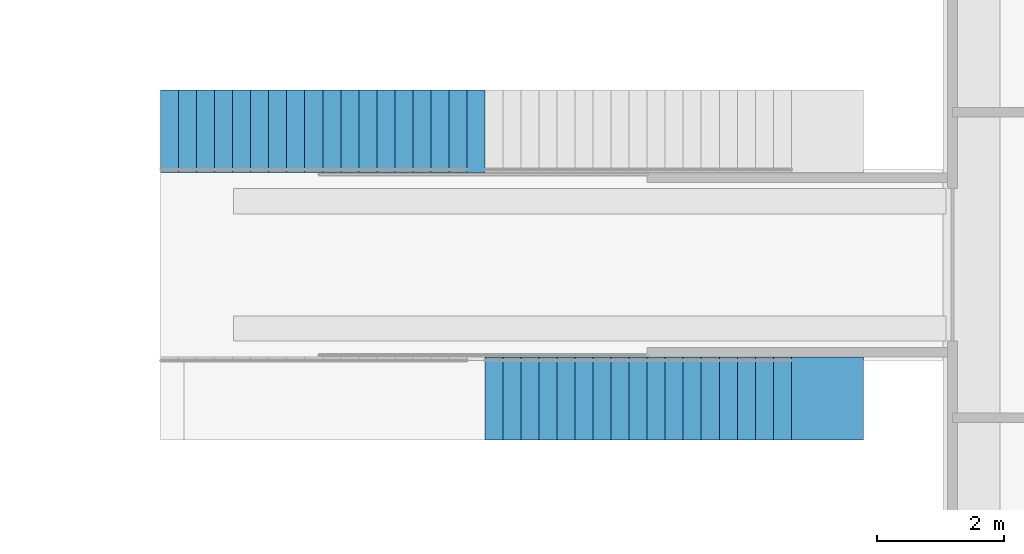
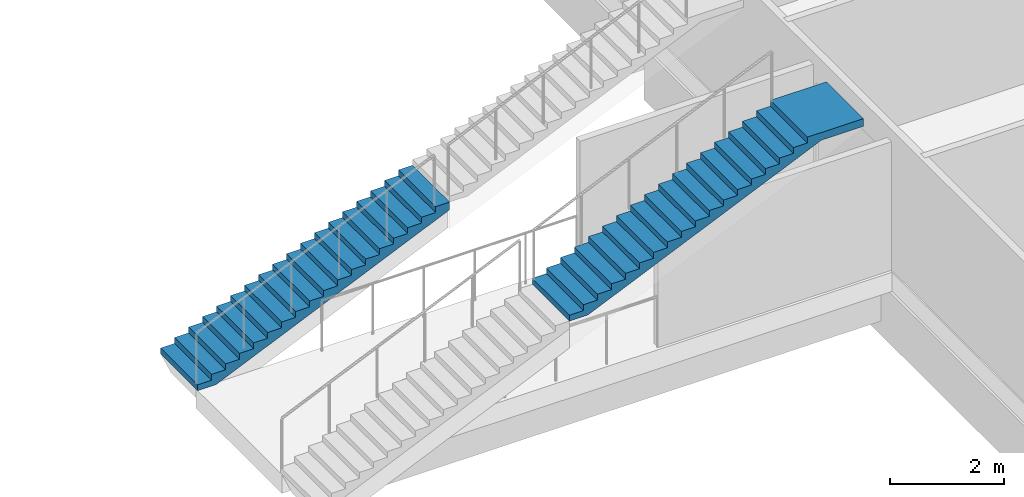
# One storey, part 93 of 175: 2 stair flights, 2 elements without a shape of their own.
"""IFC4 building model written with IfcOpenShell, lengths in metres."""

from ifc_helpers import new_model, si_unit, direction, frame, origin, place, context, subcontext, project, spatial, faceted_brep, material, type_object, element, aggregate, save


model = new_model("IFC4")

# Units and contexts
model_context = context("Model", 3, precision=1e-05, world=origin(), true_north=direction((0.0, 1.0)))
body_context = subcontext(model_context, "Body", "Model", "MODEL_VIEW")
ifc_project = project(units=[si_unit("LENGTHUNIT", "METRE"), si_unit("AREAUNIT", "SQUARE_METRE"), si_unit("VOLUMEUNIT", "CUBIC_METRE"), si_unit("PLANEANGLEUNIT", "RADIAN"), si_unit("MASSUNIT", "GRAM", prefix="KILO")], contexts=[model_context])

# Site, building, storey
site_placement = place(None, origin())
site = spatial("IfcSite", under=ifc_project, at=site_placement, CompositionType="ELEMENT")
building_placement = place(site_placement, origin())
building = spatial("IfcBuilding", under=site, at=building_placement, Name="Ogive Plaza Stadium", CompositionType="ELEMENT")
storey_placement = place(building_placement, origin())
storey = spatial("IfcBuildingStorey", under=building, at=storey_placement, Name="L00", CompositionType="ELEMENT", Elevation=0.0)

# Stair, stair flight
ifc_material_1 = material(Name="Concrete C40/50", Category="concrete")
stair_type = type_object("IfcStairType", Name="Aisle stair", PredefinedType="STRAIGHT_RUN_STAIR", material=ifc_material_1)
stair_1_placement = place(storey_placement, origin())
stair_1 = element("IfcStair", 1, at=stair_1_placement, inside=storey, type_object=stair_type, Name="Aisle stair SA07L", PredefinedType="STRAIGHT_RUN_STAIR")
ifc_material_2 = material(Name="Concrete C40/50", Category="concrete")
stair_flight_type = type_object("IfcStairFlightType", Name="Aisle stair flight", PredefinedType="STRAIGHT", material=ifc_material_2)
stair_flight_1_placement = place(storey_placement, frame((54.25, -47.10009765625, 2.25), z_axis=(0.0, 0.0, 1.0), x_axis=(1.0, 0.0, 0.0)))
stair_flight_1 = element("IfcStairFlight", 2, at=stair_flight_1_placement, type_object=stair_flight_type, Name="SA07L flight 2", NumberOfRisers=18, NumberOfTreads=17, PredefinedType="STRAIGHT", RiserHeight=0.125, TreadLength=0.283333333, context=body_context, shape_type="Brep", body=[
    faceted_brep([(0.371337890625, -0.64990234375, 0.0), (5.10009765625, -0.64990234375, 2.086181640625), (5.949951171875, -0.64990234375, 2.086181640625), (5.949951171875, -0.64990234375, 2.25), (4.816650390625, -0.64990234375, 2.25), (4.816650390625, -0.64990234375, 2.125), (4.533447265625, -0.64990234375, 2.125), (4.533447265625, -0.64990234375, 2.0), (4.25, -0.64990234375, 2.0), (4.25, -0.64990234375, 1.875), (3.966552734375, -0.64990234375, 1.875), (3.966552734375, -0.64990234375, 1.75), (3.683349609375, -0.64990234375, 1.75), (3.683349609375, -0.64990234375, 1.625), (3.39990234375, -0.64990234375, 1.625), (3.39990234375, -0.64990234375, 1.5), (3.11669921875, -0.64990234375, 1.5), (3.11669921875, -0.64990234375, 1.375), (2.833251953125, -0.64990234375, 1.375), (2.833251953125, -0.64990234375, 1.25), (2.550048828125, -0.64990234375, 1.25), (2.550048828125, -0.64990234375, 1.125), (2.2666015625, -0.64990234375, 1.125), (2.2666015625, -0.64990234375, 1.0), (1.9833984375, -0.64990234375, 1.0), (1.9833984375, -0.64990234375, 0.875), (1.699951171875, -0.64990234375, 0.875), (1.699951171875, -0.64990234375, 0.75), (1.416748046875, -0.64990234375, 0.75), (1.416748046875, -0.64990234375, 0.625), (1.13330078125, -0.64990234375, 0.625), (1.13330078125, -0.64990234375, 0.5), (0.85009765625, -0.64990234375, 0.5), (0.85009765625, -0.64990234375, 0.375), (0.566650390625, -0.64990234375, 0.375), (0.566650390625, -0.64990234375, 0.25), (0.283447265625, -0.64990234375, 0.25), (0.283447265625, -0.64990234375, 0.125), (0.0, -0.64990234375, 0.125), (0.0, -0.64990234375, 0.0), (0.0, 0.64990234375, 0.0), (0.0, 0.64990234375, 0.125), (0.283447265625, 0.64990234375, 0.125), (0.283447265625, 0.64990234375, 0.25), (0.566650390625, 0.64990234375, 0.25), (0.566650390625, 0.64990234375, 0.375), (0.85009765625, 0.64990234375, 0.375), (0.85009765625, 0.64990234375, 0.5), (1.13330078125, 0.64990234375, 0.5), (1.13330078125, 0.64990234375, 0.625), (1.416748046875, 0.64990234375, 0.625), (1.416748046875, 0.64990234375, 0.75), (1.699951171875, 0.64990234375, 0.75), (1.699951171875, 0.64990234375, 0.875), (1.9833984375, 0.64990234375, 0.875), (1.9833984375, 0.64990234375, 1.0), (2.2666015625, 0.64990234375, 1.0), (2.2666015625, 0.64990234375, 1.125), (2.550048828125, 0.64990234375, 1.125), (2.550048828125, 0.64990234375, 1.25), (2.833251953125, 0.64990234375, 1.25), (2.833251953125, 0.64990234375, 1.375), (3.11669921875, 0.64990234375, 1.375), (3.11669921875, 0.64990234375, 1.5), (3.39990234375, 0.64990234375, 1.5), (3.39990234375, 0.64990234375, 1.625), (3.683349609375, 0.64990234375, 1.625), (3.683349609375, 0.64990234375, 1.75), (3.966552734375, 0.64990234375, 1.75), (3.966552734375, 0.64990234375, 1.875), (4.25, 0.64990234375, 1.875), (4.25, 0.64990234375, 2.0), (4.533447265625, 0.64990234375, 2.0), (4.533447265625, 0.64990234375, 2.125), (4.816650390625, 0.64990234375, 2.125), (4.816650390625, 0.64990234375, 2.25), (5.949951171875, 0.64990234375, 2.25), (5.949951171875, 0.64990234375, 2.086181640625), (5.10009765625, 0.64990234375, 2.086181640625), (0.371337890625, 0.64990234375, 0.0), (0.371337890625, -0.324951171875, 0.0), (5.10009765625, -0.324951171875, 2.086181640625), (0.371337890625, 0.0, 0.0), (5.10009765625, 0.0, 2.086181640625), (0.371337890625, 0.324951171875, 0.0), (5.10009765625, 0.324951171875, 2.086181640625), (5.949951171875, -0.324951171875, 2.086181640625), (5.949951171875, 0.0, 2.086181640625), (5.949951171875, 0.324951171875, 2.086181640625), (5.949951171875, -0.324951171875, 2.25), (5.949951171875, 0.0, 2.25), (5.949951171875, 0.324951171875, 2.25), (4.816650390625, -0.324951171875, 2.25), (4.816650390625, 0.0, 2.25), (4.816650390625, 0.324951171875, 2.25), (4.816650390625, -0.324951171875, 2.125), (4.816650390625, 0.0, 2.125), (4.816650390625, 0.324951171875, 2.125), (4.533447265625, -0.324951171875, 2.125), (4.533447265625, 0.0, 2.125), (4.533447265625, 0.324951171875, 2.125), (4.533447265625, -0.324951171875, 2.0), (4.533447265625, 0.0, 2.0), (4.533447265625, 0.324951171875, 2.0), (4.25, -0.324951171875, 2.0), (4.25, 0.0, 2.0), (4.25, 0.324951171875, 2.0), (4.25, -0.324951171875, 1.875), (4.25, 0.0, 1.875), (4.25, 0.324951171875, 1.875), (3.966552734375, -0.324951171875, 1.875), (3.966552734375, 0.0, 1.875), (3.966552734375, 0.324951171875, 1.875), (3.966552734375, -0.324951171875, 1.75), (3.966552734375, 0.0, 1.75), (3.966552734375, 0.324951171875, 1.75), (3.683349609375, -0.324951171875, 1.75), (3.683349609375, 0.0, 1.75), (3.683349609375, 0.324951171875, 1.75), (3.683349609375, -0.324951171875, 1.625), (3.683349609375, 0.0, 1.625), (3.683349609375, 0.324951171875, 1.625), (3.39990234375, -0.324951171875, 1.625), (3.39990234375, 0.0, 1.625), (3.39990234375, 0.324951171875, 1.625), (3.39990234375, -0.324951171875, 1.5), (3.39990234375, 0.0, 1.5), (3.39990234375, 0.324951171875, 1.5), (3.11669921875, -0.324951171875, 1.5), (3.11669921875, 0.0, 1.5), (3.11669921875, 0.324951171875, 1.5), (3.11669921875, -0.324951171875, 1.375), (3.11669921875, 0.0, 1.375), (3.11669921875, 0.324951171875, 1.375), (2.833251953125, -0.324951171875, 1.375), (2.833251953125, 0.0, 1.375), (2.833251953125, 0.324951171875, 1.375), (2.833251953125, -0.324951171875, 1.25), (2.833251953125, 0.0, 1.25), (2.833251953125, 0.324951171875, 1.25), (2.550048828125, -0.324951171875, 1.25), (2.550048828125, 0.0, 1.25), (2.550048828125, 0.324951171875, 1.25), (2.550048828125, -0.324951171875, 1.125), (2.550048828125, 0.0, 1.125), (2.550048828125, 0.324951171875, 1.125), (2.2666015625, -0.324951171875, 1.125), (2.2666015625, 0.0, 1.125), (2.2666015625, 0.324951171875, 1.125), (2.2666015625, -0.324951171875, 1.0), (2.2666015625, 0.0, 1.0), (2.2666015625, 0.324951171875, 1.0), (1.9833984375, -0.324951171875, 1.0), (1.9833984375, 0.0, 1.0), (1.9833984375, 0.324951171875, 1.0), (1.9833984375, -0.324951171875, 0.875), (1.9833984375, 0.0, 0.875), (1.9833984375, 0.324951171875, 0.875), (1.699951171875, -0.324951171875, 0.875), (1.699951171875, 0.0, 0.875), (1.699951171875, 0.324951171875, 0.875), (1.699951171875, -0.324951171875, 0.75), (1.699951171875, 0.0, 0.75), (1.699951171875, 0.324951171875, 0.75), (1.416748046875, -0.324951171875, 0.75), (1.416748046875, 0.0, 0.75), (1.416748046875, 0.324951171875, 0.75), (1.416748046875, -0.324951171875, 0.625), (1.416748046875, 0.0, 0.625), (1.416748046875, 0.324951171875, 0.625), (1.13330078125, -0.324951171875, 0.625), (1.13330078125, 0.0, 0.625), (1.13330078125, 0.324951171875, 0.625), (1.13330078125, -0.324951171875, 0.5), (1.13330078125, 0.0, 0.5), (1.13330078125, 0.324951171875, 0.5), (0.85009765625, -0.324951171875, 0.5), (0.85009765625, 0.0, 0.5), (0.85009765625, 0.324951171875, 0.5), (0.85009765625, -0.324951171875, 0.375), (0.85009765625, 0.0, 0.375), (0.85009765625, 0.324951171875, 0.375), (0.566650390625, -0.324951171875, 0.375), (0.566650390625, 0.0, 0.375), (0.566650390625, 0.324951171875, 0.375), (0.566650390625, -0.324951171875, 0.25), (0.566650390625, 0.0, 0.25), (0.566650390625, 0.324951171875, 0.25), (0.283447265625, -0.324951171875, 0.25), (0.283447265625, 0.0, 0.25), (0.283447265625, 0.324951171875, 0.25), (0.283447265625, -0.324951171875, 0.125), (0.283447265625, 0.0, 0.125), (0.283447265625, 0.324951171875, 0.125), (0.0, -0.324951171875, 0.125), (0.0, 0.0, 0.125), (0.0, 0.324951171875, 0.125), (0.0, -0.324951171875, 0.0), (0.0, 0.0, 0.0), (0.0, 0.324951171875, 0.0)], [[[0, 1, 2, 3, 4, 5, 6, 7, 8, 9, 10, 11, 12, 13, 14, 15, 16, 17, 18, 19, 20, 21, 22, 23, 24, 25, 26, 27, 28, 29, 30, 31, 32, 33, 34, 35, 36, 37, 38, 39]], [[40, 41, 42, 43, 44, 45, 46, 47, 48, 49, 50, 51, 52, 53, 54, 55, 56, 57, 58, 59, 60, 61, 62, 63, 64, 65, 66, 67, 68, 69, 70, 71, 72, 73, 74, 75, 76, 77, 78, 79]], [[0, 80, 81, 1]], [[80, 82, 83, 81]], [[82, 84, 85, 83]], [[84, 79, 78, 85]], [[1, 81, 86, 2]], [[81, 83, 87, 86]], [[83, 85, 88, 87]], [[85, 78, 77, 88]], [[2, 86, 89, 3]], [[86, 87, 90, 89]], [[87, 88, 91, 90]], [[88, 77, 76, 91]], [[3, 89, 92, 4]], [[89, 90, 93, 92]], [[90, 91, 94, 93]], [[91, 76, 75, 94]], [[4, 92, 95, 5]], [[92, 93, 96, 95]], [[93, 94, 97, 96]], [[94, 75, 74, 97]], [[5, 95, 98, 6]], [[95, 96, 99, 98]], [[96, 97, 100, 99]], [[97, 74, 73, 100]], [[6, 98, 101, 7]], [[98, 99, 102, 101]], [[99, 100, 103, 102]], [[100, 73, 72, 103]], [[7, 101, 104, 8]], [[101, 102, 105, 104]], [[102, 103, 106, 105]], [[103, 72, 71, 106]], [[8, 104, 107, 9]], [[104, 105, 108, 107]], [[105, 106, 109, 108]], [[106, 71, 70, 109]], [[9, 107, 110, 10]], [[107, 108, 111, 110]], [[108, 109, 112, 111]], [[109, 70, 69, 112]], [[10, 110, 113, 11]], [[110, 111, 114, 113]], [[111, 112, 115, 114]], [[112, 69, 68, 115]], [[11, 113, 116, 12]], [[113, 114, 117, 116]], [[114, 115, 118, 117]], [[115, 68, 67, 118]], [[12, 116, 119, 13]], [[116, 117, 120, 119]], [[117, 118, 121, 120]], [[118, 67, 66, 121]], [[13, 119, 122, 14]], [[119, 120, 123, 122]], [[120, 121, 124, 123]], [[121, 66, 65, 124]], [[14, 122, 125, 15]], [[122, 123, 126, 125]], [[123, 124, 127, 126]], [[124, 65, 64, 127]], [[15, 125, 128, 16]], [[125, 126, 129, 128]], [[126, 127, 130, 129]], [[127, 64, 63, 130]], [[16, 128, 131, 17]], [[128, 129, 132, 131]], [[129, 130, 133, 132]], [[130, 63, 62, 133]], [[17, 131, 134, 18]], [[131, 132, 135, 134]], [[132, 133, 136, 135]], [[133, 62, 61, 136]], [[18, 134, 137, 19]], [[134, 135, 138, 137]], [[135, 136, 139, 138]], [[136, 61, 60, 139]], [[19, 137, 140, 20]], [[137, 138, 141, 140]], [[138, 139, 142, 141]], [[139, 60, 59, 142]], [[20, 140, 143, 21]], [[140, 141, 144, 143]], [[141, 142, 145, 144]], [[142, 59, 58, 145]], [[21, 143, 146, 22]], [[143, 144, 147, 146]], [[144, 145, 148, 147]], [[145, 58, 57, 148]], [[22, 146, 149, 23]], [[146, 147, 150, 149]], [[147, 148, 151, 150]], [[148, 57, 56, 151]], [[23, 149, 152, 24]], [[149, 150, 153, 152]], [[150, 151, 154, 153]], [[151, 56, 55, 154]], [[24, 152, 155, 25]], [[152, 153, 156, 155]], [[153, 154, 157, 156]], [[154, 55, 54, 157]], [[25, 155, 158, 26]], [[155, 156, 159, 158]], [[156, 157, 160, 159]], [[157, 54, 53, 160]], [[26, 158, 161, 27]], [[158, 159, 162, 161]], [[159, 160, 163, 162]], [[160, 53, 52, 163]], [[27, 161, 164, 28]], [[161, 162, 165, 164]], [[162, 163, 166, 165]], [[163, 52, 51, 166]], [[28, 164, 167, 29]], [[164, 165, 168, 167]], [[165, 166, 169, 168]], [[166, 51, 50, 169]], [[29, 167, 170, 30]], [[167, 168, 171, 170]], [[168, 169, 172, 171]], [[169, 50, 49, 172]], [[30, 170, 173, 31]], [[170, 171, 174, 173]], [[171, 172, 175, 174]], [[172, 49, 48, 175]], [[31, 173, 176, 32]], [[173, 174, 177, 176]], [[174, 175, 178, 177]], [[175, 48, 47, 178]], [[32, 176, 179, 33]], [[176, 177, 180, 179]], [[177, 178, 181, 180]], [[178, 47, 46, 181]], [[33, 179, 182, 34]], [[179, 180, 183, 182]], [[180, 181, 184, 183]], [[181, 46, 45, 184]], [[34, 182, 185, 35]], [[182, 183, 186, 185]], [[183, 184, 187, 186]], [[184, 45, 44, 187]], [[35, 185, 188, 36]], [[185, 186, 189, 188]], [[186, 187, 190, 189]], [[187, 44, 43, 190]], [[36, 188, 191, 37]], [[188, 189, 192, 191]], [[189, 190, 193, 192]], [[190, 43, 42, 193]], [[37, 191, 194, 38]], [[191, 192, 195, 194]], [[192, 193, 196, 195]], [[193, 42, 41, 196]], [[38, 194, 197, 39]], [[194, 195, 198, 197]], [[195, 196, 199, 198]], [[196, 41, 40, 199]], [[39, 197, 80, 0]], [[197, 198, 82, 80]], [[198, 199, 84, 82]], [[199, 40, 79, 84]]]),
])
aggregate(stair_1, [stair_flight_1])

stair_2_placement = place(storey_placement, origin())
stair_2 = element("IfcStair", 3, at=stair_2_placement, inside=storey, type_object=stair_type, Name="Aisle stair SA07R", PredefinedType="STRAIGHT_RUN_STAIR")
stair_flight_2_placement = place(storey_placement, frame((49.14990234375, -42.89990234375, 0.0), z_axis=(0.0, 0.0, 1.0), x_axis=(1.0, 0.0, 0.0)))
stair_flight_2 = element("IfcStairFlight", 4, at=stair_flight_2_placement, type_object=stair_flight_type, Name="SA07R flight 1", NumberOfRisers=18, NumberOfTreads=17, PredefinedType="STRAIGHT", RiserHeight=0.125, TreadLength=0.283333333, context=body_context, shape_type="Brep", body=[
    faceted_brep([(0.371337890625, -0.64990234375, 0.0), (5.10009765625, -0.64990234375, 2.086181640625), (5.10009765625, -0.64990234375, 2.25), (4.816650390625, -0.64990234375, 2.25), (4.816650390625, -0.64990234375, 2.125), (4.533447265625, -0.64990234375, 2.125), (4.533447265625, -0.64990234375, 2.0), (4.25, -0.64990234375, 2.0), (4.25, -0.64990234375, 1.875), (3.966552734375, -0.64990234375, 1.875), (3.966552734375, -0.64990234375, 1.75), (3.683349609375, -0.64990234375, 1.75), (3.683349609375, -0.64990234375, 1.625), (3.39990234375, -0.64990234375, 1.625), (3.39990234375, -0.64990234375, 1.5), (3.11669921875, -0.64990234375, 1.5), (3.11669921875, -0.64990234375, 1.375), (2.833251953125, -0.64990234375, 1.375), (2.833251953125, -0.64990234375, 1.25), (2.550048828125, -0.64990234375, 1.25), (2.550048828125, -0.64990234375, 1.125), (2.2666015625, -0.64990234375, 1.125), (2.2666015625, -0.64990234375, 1.0), (1.9833984375, -0.64990234375, 1.0), (1.9833984375, -0.64990234375, 0.875), (1.699951171875, -0.64990234375, 0.875), (1.699951171875, -0.64990234375, 0.75), (1.416748046875, -0.64990234375, 0.75), (1.416748046875, -0.64990234375, 0.625), (1.13330078125, -0.64990234375, 0.625), (1.13330078125, -0.64990234375, 0.5), (0.85009765625, -0.64990234375, 0.5), (0.85009765625, -0.64990234375, 0.375), (0.566650390625, -0.64990234375, 0.375), (0.566650390625, -0.64990234375, 0.25), (0.283447265625, -0.64990234375, 0.25), (0.283447265625, -0.64990234375, 0.125), (0.0, -0.64990234375, 0.125), (0.0, -0.64990234375, 0.0), (0.0, 0.64990234375, 0.0), (0.0, 0.64990234375, 0.125), (0.283447265625, 0.64990234375, 0.125), (0.283447265625, 0.64990234375, 0.25), (0.566650390625, 0.64990234375, 0.25), (0.566650390625, 0.64990234375, 0.375), (0.85009765625, 0.64990234375, 0.375), (0.85009765625, 0.64990234375, 0.5), (1.13330078125, 0.64990234375, 0.5), (1.13330078125, 0.64990234375, 0.625), (1.416748046875, 0.64990234375, 0.625), (1.416748046875, 0.64990234375, 0.75), (1.699951171875, 0.64990234375, 0.75), (1.699951171875, 0.64990234375, 0.875), (1.9833984375, 0.64990234375, 0.875), (1.9833984375, 0.64990234375, 1.0), (2.2666015625, 0.64990234375, 1.0), (2.2666015625, 0.64990234375, 1.125), (2.550048828125, 0.64990234375, 1.125), (2.550048828125, 0.64990234375, 1.25), (2.833251953125, 0.64990234375, 1.25), (2.833251953125, 0.64990234375, 1.375), (3.11669921875, 0.64990234375, 1.375), (3.11669921875, 0.64990234375, 1.5), (3.39990234375, 0.64990234375, 1.5), (3.39990234375, 0.64990234375, 1.625), (3.683349609375, 0.64990234375, 1.625), (3.683349609375, 0.64990234375, 1.75), (3.966552734375, 0.64990234375, 1.75), (3.966552734375, 0.64990234375, 1.875), (4.25, 0.64990234375, 1.875), (4.25, 0.64990234375, 2.0), (4.533447265625, 0.64990234375, 2.0), (4.533447265625, 0.64990234375, 2.125), (4.816650390625, 0.64990234375, 2.125), (4.816650390625, 0.64990234375, 2.25), (5.10009765625, 0.64990234375, 2.25), (5.10009765625, 0.64990234375, 2.086181640625), (0.371337890625, 0.64990234375, 0.0), (0.371337890625, -0.324951171875, 0.0), (5.10009765625, -0.324951171875, 2.086181640625), (0.371337890625, 0.0, 0.0), (5.10009765625, 0.0, 2.086181640625), (0.371337890625, 0.324951171875, 0.0), (5.10009765625, 0.324951171875, 2.086181640625), (5.10009765625, -0.324951171875, 2.25), (5.10009765625, 0.0, 2.25), (5.10009765625, 0.324951171875, 2.25), (4.816650390625, -0.324951171875, 2.25), (4.816650390625, 0.0, 2.25), (4.816650390625, 0.324951171875, 2.25), (4.816650390625, -0.324951171875, 2.125), (4.816650390625, 0.0, 2.125), (4.816650390625, 0.324951171875, 2.125), (4.533447265625, -0.324951171875, 2.125), (4.533447265625, 0.0, 2.125), (4.533447265625, 0.324951171875, 2.125), (4.533447265625, -0.324951171875, 2.0), (4.533447265625, 0.0, 2.0), (4.533447265625, 0.324951171875, 2.0), (4.25, -0.324951171875, 2.0), (4.25, 0.0, 2.0), (4.25, 0.324951171875, 2.0), (4.25, -0.324951171875, 1.875), (4.25, 0.0, 1.875), (4.25, 0.324951171875, 1.875), (3.966552734375, -0.324951171875, 1.875), (3.966552734375, 0.0, 1.875), (3.966552734375, 0.324951171875, 1.875), (3.966552734375, -0.324951171875, 1.75), (3.966552734375, 0.0, 1.75), (3.966552734375, 0.324951171875, 1.75), (3.683349609375, -0.324951171875, 1.75), (3.683349609375, 0.0, 1.75), (3.683349609375, 0.324951171875, 1.75), (3.683349609375, -0.324951171875, 1.625), (3.683349609375, 0.0, 1.625), (3.683349609375, 0.324951171875, 1.625), (3.39990234375, -0.324951171875, 1.625), (3.39990234375, 0.0, 1.625), (3.39990234375, 0.324951171875, 1.625), (3.39990234375, -0.324951171875, 1.5), (3.39990234375, 0.0, 1.5), (3.39990234375, 0.324951171875, 1.5), (3.11669921875, -0.324951171875, 1.5), (3.11669921875, 0.0, 1.5), (3.11669921875, 0.324951171875, 1.5), (3.11669921875, -0.324951171875, 1.375), (3.11669921875, 0.0, 1.375), (3.11669921875, 0.324951171875, 1.375), (2.833251953125, -0.324951171875, 1.375), (2.833251953125, 0.0, 1.375), (2.833251953125, 0.324951171875, 1.375), (2.833251953125, -0.324951171875, 1.25), (2.833251953125, 0.0, 1.25), (2.833251953125, 0.324951171875, 1.25), (2.550048828125, -0.324951171875, 1.25), (2.550048828125, 0.0, 1.25), (2.550048828125, 0.324951171875, 1.25), (2.550048828125, -0.324951171875, 1.125), (2.550048828125, 0.0, 1.125), (2.550048828125, 0.324951171875, 1.125), (2.2666015625, -0.324951171875, 1.125), (2.2666015625, 0.0, 1.125), (2.2666015625, 0.324951171875, 1.125), (2.2666015625, -0.324951171875, 1.0), (2.2666015625, 0.0, 1.0), (2.2666015625, 0.324951171875, 1.0), (1.9833984375, -0.324951171875, 1.0), (1.9833984375, 0.0, 1.0), (1.9833984375, 0.324951171875, 1.0), (1.9833984375, -0.324951171875, 0.875), (1.9833984375, 0.0, 0.875), (1.9833984375, 0.324951171875, 0.875), (1.699951171875, -0.324951171875, 0.875), (1.699951171875, 0.0, 0.875), (1.699951171875, 0.324951171875, 0.875), (1.699951171875, -0.324951171875, 0.75), (1.699951171875, 0.0, 0.75), (1.699951171875, 0.324951171875, 0.75), (1.416748046875, -0.324951171875, 0.75), (1.416748046875, 0.0, 0.75), (1.416748046875, 0.324951171875, 0.75), (1.416748046875, -0.324951171875, 0.625), (1.416748046875, 0.0, 0.625), (1.416748046875, 0.324951171875, 0.625), (1.13330078125, -0.324951171875, 0.625), (1.13330078125, 0.0, 0.625), (1.13330078125, 0.324951171875, 0.625), (1.13330078125, -0.324951171875, 0.5), (1.13330078125, 0.0, 0.5), (1.13330078125, 0.324951171875, 0.5), (0.85009765625, -0.324951171875, 0.5), (0.85009765625, 0.0, 0.5), (0.85009765625, 0.324951171875, 0.5), (0.85009765625, -0.324951171875, 0.375), (0.85009765625, 0.0, 0.375), (0.85009765625, 0.324951171875, 0.375), (0.566650390625, -0.324951171875, 0.375), (0.566650390625, 0.0, 0.375), (0.566650390625, 0.324951171875, 0.375), (0.566650390625, -0.324951171875, 0.25), (0.566650390625, 0.0, 0.25), (0.566650390625, 0.324951171875, 0.25), (0.283447265625, -0.324951171875, 0.25), (0.283447265625, 0.0, 0.25), (0.283447265625, 0.324951171875, 0.25), (0.283447265625, -0.324951171875, 0.125), (0.283447265625, 0.0, 0.125), (0.283447265625, 0.324951171875, 0.125), (0.0, -0.324951171875, 0.125), (0.0, 0.0, 0.125), (0.0, 0.324951171875, 0.125), (0.0, -0.324951171875, 0.0), (0.0, 0.0, 0.0), (0.0, 0.324951171875, 0.0)], [[[0, 1, 2, 3, 4, 5, 6, 7, 8, 9, 10, 11, 12, 13, 14, 15, 16, 17, 18, 19, 20, 21, 22, 23, 24, 25, 26, 27, 28, 29, 30, 31, 32, 33, 34, 35, 36, 37, 38]], [[39, 40, 41, 42, 43, 44, 45, 46, 47, 48, 49, 50, 51, 52, 53, 54, 55, 56, 57, 58, 59, 60, 61, 62, 63, 64, 65, 66, 67, 68, 69, 70, 71, 72, 73, 74, 75, 76, 77]], [[0, 78, 79, 1]], [[78, 80, 81, 79]], [[80, 82, 83, 81]], [[82, 77, 76, 83]], [[1, 79, 84, 2]], [[79, 81, 85, 84]], [[81, 83, 86, 85]], [[83, 76, 75, 86]], [[2, 84, 87, 3]], [[84, 85, 88, 87]], [[85, 86, 89, 88]], [[86, 75, 74, 89]], [[3, 87, 90, 4]], [[87, 88, 91, 90]], [[88, 89, 92, 91]], [[89, 74, 73, 92]], [[4, 90, 93, 5]], [[90, 91, 94, 93]], [[91, 92, 95, 94]], [[92, 73, 72, 95]], [[5, 93, 96, 6]], [[93, 94, 97, 96]], [[94, 95, 98, 97]], [[95, 72, 71, 98]], [[6, 96, 99, 7]], [[96, 97, 100, 99]], [[97, 98, 101, 100]], [[98, 71, 70, 101]], [[7, 99, 102, 8]], [[99, 100, 103, 102]], [[100, 101, 104, 103]], [[101, 70, 69, 104]], [[8, 102, 105, 9]], [[102, 103, 106, 105]], [[103, 104, 107, 106]], [[104, 69, 68, 107]], [[9, 105, 108, 10]], [[105, 106, 109, 108]], [[106, 107, 110, 109]], [[107, 68, 67, 110]], [[10, 108, 111, 11]], [[108, 109, 112, 111]], [[109, 110, 113, 112]], [[110, 67, 66, 113]], [[11, 111, 114, 12]], [[111, 112, 115, 114]], [[112, 113, 116, 115]], [[113, 66, 65, 116]], [[12, 114, 117, 13]], [[114, 115, 118, 117]], [[115, 116, 119, 118]], [[116, 65, 64, 119]], [[13, 117, 120, 14]], [[117, 118, 121, 120]], [[118, 119, 122, 121]], [[119, 64, 63, 122]], [[14, 120, 123, 15]], [[120, 121, 124, 123]], [[121, 122, 125, 124]], [[122, 63, 62, 125]], [[15, 123, 126, 16]], [[123, 124, 127, 126]], [[124, 125, 128, 127]], [[125, 62, 61, 128]], [[16, 126, 129, 17]], [[126, 127, 130, 129]], [[127, 128, 131, 130]], [[128, 61, 60, 131]], [[17, 129, 132, 18]], [[129, 130, 133, 132]], [[130, 131, 134, 133]], [[131, 60, 59, 134]], [[18, 132, 135, 19]], [[132, 133, 136, 135]], [[133, 134, 137, 136]], [[134, 59, 58, 137]], [[19, 135, 138, 20]], [[135, 136, 139, 138]], [[136, 137, 140, 139]], [[137, 58, 57, 140]], [[20, 138, 141, 21]], [[138, 139, 142, 141]], [[139, 140, 143, 142]], [[140, 57, 56, 143]], [[21, 141, 144, 22]], [[141, 142, 145, 144]], [[142, 143, 146, 145]], [[143, 56, 55, 146]], [[22, 144, 147, 23]], [[144, 145, 148, 147]], [[145, 146, 149, 148]], [[146, 55, 54, 149]], [[23, 147, 150, 24]], [[147, 148, 151, 150]], [[148, 149, 152, 151]], [[149, 54, 53, 152]], [[24, 150, 153, 25]], [[150, 151, 154, 153]], [[151, 152, 155, 154]], [[152, 53, 52, 155]], [[25, 153, 156, 26]], [[153, 154, 157, 156]], [[154, 155, 158, 157]], [[155, 52, 51, 158]], [[26, 156, 159, 27]], [[156, 157, 160, 159]], [[157, 158, 161, 160]], [[158, 51, 50, 161]], [[27, 159, 162, 28]], [[159, 160, 163, 162]], [[160, 161, 164, 163]], [[161, 50, 49, 164]], [[28, 162, 165, 29]], [[162, 163, 166, 165]], [[163, 164, 167, 166]], [[164, 49, 48, 167]], [[29, 165, 168, 30]], [[165, 166, 169, 168]], [[166, 167, 170, 169]], [[167, 48, 47, 170]], [[30, 168, 171, 31]], [[168, 169, 172, 171]], [[169, 170, 173, 172]], [[170, 47, 46, 173]], [[31, 171, 174, 32]], [[171, 172, 175, 174]], [[172, 173, 176, 175]], [[173, 46, 45, 176]], [[32, 174, 177, 33]], [[174, 175, 178, 177]], [[175, 176, 179, 178]], [[176, 45, 44, 179]], [[33, 177, 180, 34]], [[177, 178, 181, 180]], [[178, 179, 182, 181]], [[179, 44, 43, 182]], [[34, 180, 183, 35]], [[180, 181, 184, 183]], [[181, 182, 185, 184]], [[182, 43, 42, 185]], [[35, 183, 186, 36]], [[183, 184, 187, 186]], [[184, 185, 188, 187]], [[185, 42, 41, 188]], [[36, 186, 189, 37]], [[186, 187, 190, 189]], [[187, 188, 191, 190]], [[188, 41, 40, 191]], [[37, 189, 192, 38]], [[189, 190, 193, 192]], [[190, 191, 194, 193]], [[191, 40, 39, 194]], [[38, 192, 78, 0]], [[192, 193, 80, 78]], [[193, 194, 82, 80]], [[194, 39, 77, 82]]]),
])
aggregate(stair_2, [stair_flight_2])

save(model, "model.ifc")
